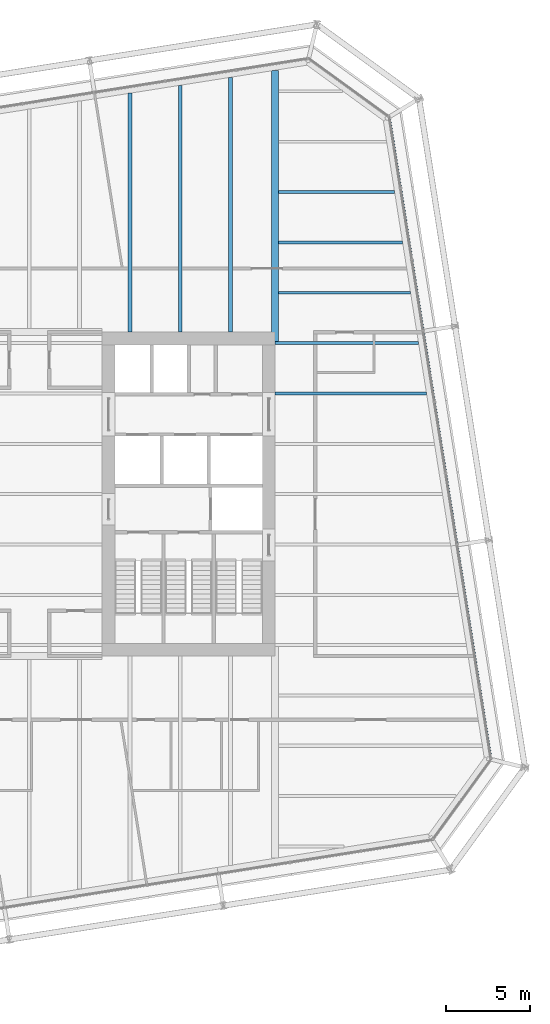
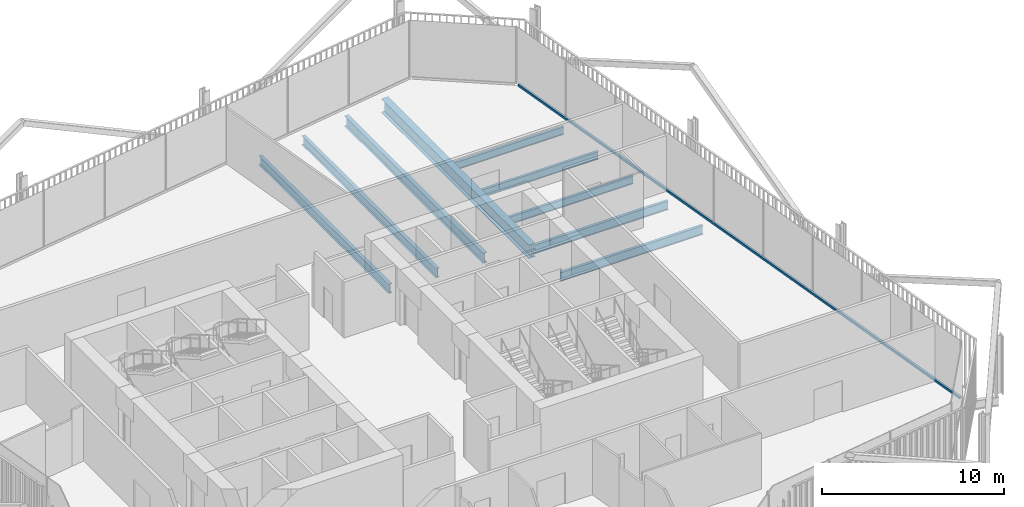
# One storey, part 14 of 22: 9 beams, 1 member, 1 element without a shape of its own.
"""IFC4 building model written with IfcOpenShell, lengths in metres."""

from ifc_helpers import new_model, si_unit, direction, frame, origin, origin_2d, place, context, subcontext, project, spatial, rectangle, i_section, extrude, material, layer, layer_set, material_profile, profile_set, type_object, element, aggregate, save


model = new_model("IFC4")

# Units and contexts
model_context = context("Model", 3, precision=1e-05, world=origin(), true_north=direction((0.0, 1.0)))
body_context = subcontext(model_context, "Body", "Model", "MODEL_VIEW")
ifc_project = project(units=[si_unit("LENGTHUNIT", "METRE"), si_unit("AREAUNIT", "SQUARE_METRE"), si_unit("VOLUMEUNIT", "CUBIC_METRE"), si_unit("PLANEANGLEUNIT", "RADIAN"), si_unit("MASSUNIT", "GRAM", prefix="KILO")], contexts=[model_context])

# Site, building, storey
site_placement = place(None, origin())
site = spatial("IfcSite", under=ifc_project, at=site_placement, CompositionType="ELEMENT")
building_placement = place(site_placement, origin())
building = spatial("IfcBuilding", under=site, at=building_placement, Name="Millrace Tower", CompositionType="ELEMENT")
storey_placement = place(building_placement, frame((0.0, 0.0, 145.10009765625)))
storey = spatial("IfcBuildingStorey", under=building, at=storey_placement, Name="L32", CompositionType="ELEMENT", Elevation=145.10009765625)

# Curtain wall, member
ifc_material_1 = material(Name="Aluminium and glass", Category="aluminium")
ifc_layer = layer(ifc_material_1, 0.14990234375)
ifc_layer_set = layer_set([ifc_layer], Name="Aluminium and glass")
curtain_wall_type = type_object("IfcCurtainWallType", Name="CW-1 office vision curtain wall", PredefinedType="NOTDEFINED", material=ifc_layer_set)
curtain_wall_placement = place(storey_placement, origin())
curtain_wall = element("IfcCurtainWall", 1, at=curtain_wall_placement, inside=storey, type_object=curtain_wall_type, Name="Curtain wall C-F04 L32", PredefinedType="NOTDEFINED")
ifc_material_2 = material(Name="Aluminium", Category="aluminium")
ifc_material_profile_1 = material_profile(ifc_material_2, rectangle(XDim=0.14990234375, YDim=0.139892578125, at=origin_2d()))
ifc_profile_set_1 = profile_set([ifc_material_profile_1], Name="Aluminium")
member_type = type_object("IfcMemberType", Name="CW-1 office vision curtain wall transom", PredefinedType="USERDEFINED", material=ifc_profile_set_1)
member_placement = place(storey_placement, frame((27.49609375, -15.675048828125, 0.06982421875), z_axis=(-0.156434402447, 0.987688350509, 0.0), x_axis=(-0.987688350509, -0.156434402447, 0.0)))
member = element("IfcMember", 2, at=member_placement, type_object=member_type, Name="CW1 transom C-F04.1", ObjectType="TRANSOM", PredefinedType="USERDEFINED", context=body_context, shape_type="SweptSolid", body=[
    extrude(rectangle(XDim=0.14990234375, YDim=0.139892578125, at=origin_2d()), origin(), (0.0, 0.0, 1.0), 38.499755859375),
])
aggregate(curtain_wall, [member])

# Beams
ifc_material_3 = material(Name="Steel ASTM A992 Grade 50", Category="steel")
ifc_material_profile_2 = material_profile(ifc_material_3, i_section(OverallWidth=0.1650390625, OverallDepth=0.52587890625, WebThickness=0.0087890625, FlangeThickness=0.011474609375, FilletRadius=0.0126953125, at=origin_2d()))
ifc_profile_set_2 = profile_set([ifc_material_profile_2], Name="Steel ASTM A992 Grade 50")
beam_type_1 = type_object("IfcBeamType", Name="Floor beam W21x44", PredefinedType="JOIST", material=ifc_profile_set_2)
beam_1_placement = place(storey_placement, frame((14.859619140625, 12.0, -0.423095703125), z_axis=(1.0, 0.0, 0.0), x_axis=(0.0, 1.0, 0.0)))
element("IfcBeam", 3, at=beam_1_placement, inside=storey, type_object=beam_type_1, Name="BM-C-L32-S1-S032", PredefinedType="JOIST", context=body_context, shape_type="SweptSolid", body=[
    extrude(i_section(OverallWidth=0.1650390625, OverallDepth=0.52587890625, WebThickness=0.0087890625, FlangeThickness=0.011474609375, FilletRadius=0.0126953125, at=origin_2d()), origin(), (0.0, 0.0, 1.0), 7.8662109375),
])
beam_2_placement = place(storey_placement, frame((14.859619140625, 15.0, -0.423095703125), z_axis=(1.0, 0.0, 0.0), x_axis=(0.0, 1.0, 0.0)))
element("IfcBeam", 4, at=beam_2_placement, inside=storey, type_object=beam_type_1, Name="BM-C-L32-S1-S034", PredefinedType="JOIST", context=body_context, shape_type="SweptSolid", body=[
    extrude(i_section(OverallWidth=0.1650390625, OverallDepth=0.52587890625, WebThickness=0.0087890625, FlangeThickness=0.011474609375, FilletRadius=0.0126953125, at=origin_2d()), origin(), (0.0, 0.0, 1.0), 7.390869140625),
])
beam_3_placement = place(storey_placement, frame((14.859619140625, 18.0, -0.423095703125), z_axis=(1.0, 0.0, 0.0), x_axis=(0.0, 1.0, 0.0)))
element("IfcBeam", 5, at=beam_3_placement, inside=storey, type_object=beam_type_1, Name="BM-C-L32-S1-S036", PredefinedType="JOIST", context=body_context, shape_type="SweptSolid", body=[
    extrude(i_section(OverallWidth=0.1650390625, OverallDepth=0.52587890625, WebThickness=0.0087890625, FlangeThickness=0.011474609375, FilletRadius=0.0126953125, at=origin_2d()), origin(), (0.0, 0.0, 1.0), 6.915771484375),
])
ifc_material_4 = material(Name="Steel ASTM A992 Grade 50", Category="steel")
ifc_material_profile_3 = material_profile(ifc_material_4, i_section(OverallWidth=0.177978515625, OverallDepth=0.599365234375, WebThickness=0.010009765625, FlangeThickness=0.012939453125, FilletRadius=0.012939453125, at=origin_2d()))
ifc_profile_set_3 = profile_set([ifc_material_profile_3], Name="Steel ASTM A992 Grade 50")
beam_type_2 = type_object("IfcBeamType", Name="Floor beam W24x55", PredefinedType="JOIST", material=ifc_profile_set_3)
beam_4_placement = place(storey_placement, frame((14.64990234375, 6.0, -0.459716796875), z_axis=(1.0, 0.0, 0.0), x_axis=(0.0, 1.0, 0.0)))
element("IfcBeam", 6, at=beam_4_placement, inside=storey, type_object=beam_type_2, Name="BM-C-L32-S1-S027", PredefinedType="JOIST", context=body_context, shape_type="SweptSolid", body=[
    extrude(i_section(OverallWidth=0.177978515625, OverallDepth=0.599365234375, WebThickness=0.010009765625, FlangeThickness=0.012939453125, FilletRadius=0.012939453125, at=origin_2d()), origin(), (0.0, 0.0, 1.0), 9.026123046875),
])
beam_5_placement = place(storey_placement, frame((14.64990234375, 9.0, -0.459716796875), z_axis=(1.0, 0.0, 0.0), x_axis=(0.0, 1.0, 0.0)))
element("IfcBeam", 7, at=beam_5_placement, inside=storey, type_object=beam_type_2, Name="BM-C-L32-S1-S030", PredefinedType="JOIST", context=body_context, shape_type="SweptSolid", body=[
    extrude(i_section(OverallWidth=0.177978515625, OverallDepth=0.599365234375, WebThickness=0.010009765625, FlangeThickness=0.012939453125, FilletRadius=0.012939453125, at=origin_2d()), origin(), (0.0, 0.0, 1.0), 8.551025390625),
])
ifc_material_5 = material(Name="Steel ASTM A992 Grade 50", Category="steel")
ifc_material_profile_4 = material_profile(ifc_material_5, i_section(OverallWidth=0.228271484375, OverallDepth=0.607177734375, WebThickness=0.01123046875, FlangeThickness=0.017333984375, FilletRadius=0.0126953125, at=origin_2d()))
ifc_profile_set_4 = profile_set([ifc_material_profile_4], Name="Steel ASTM A992 Grade 50")
beam_type_3 = type_object("IfcBeamType", Name="Floor beam W24x76", PredefinedType="JOIST", material=ifc_profile_set_4)
beam_6_placement = place(storey_placement, frame((6.0, 9.64990234375, -0.463623046875), z_axis=(0.0, 1.0, 0.0), x_axis=(-1.0, 0.0, 0.0)))
element("IfcBeam", 8, at=beam_6_placement, inside=storey, type_object=beam_type_3, Name="BM-C-L32-S1-S051", PredefinedType="JOIST", context=body_context, shape_type="SweptSolid", body=[
    extrude(i_section(OverallWidth=0.228271484375, OverallDepth=0.607177734375, WebThickness=0.01123046875, FlangeThickness=0.017333984375, FilletRadius=0.0126953125, at=origin_2d()), origin(), (0.0, 0.0, 1.0), 14.2421875),
])
beam_7_placement = place(storey_placement, frame((9.0, 9.64990234375, -0.463623046875), z_axis=(0.0, 1.0, 0.0), x_axis=(-1.0, 0.0, 0.0)))
element("IfcBeam", 9, at=beam_7_placement, inside=storey, type_object=beam_type_3, Name="BM-C-L32-S1-S053", PredefinedType="JOIST", context=body_context, shape_type="SweptSolid", body=[
    extrude(i_section(OverallWidth=0.228271484375, OverallDepth=0.607177734375, WebThickness=0.01123046875, FlangeThickness=0.017333984375, FilletRadius=0.0126953125, at=origin_2d()), origin(), (0.0, 0.0, 1.0), 14.71728515625),
])
ifc_material_6 = material(Name="Steel ASTM A992 Grade 50", Category="steel")
ifc_material_profile_5 = material_profile(ifc_material_6, i_section(OverallWidth=0.256591796875, OverallDepth=0.693359375, WebThickness=0.014404296875, FlangeThickness=0.023681640625, FilletRadius=0.01513671875, at=origin_2d()))
ifc_profile_set_5 = profile_set([ifc_material_profile_5], Name="Steel ASTM A992 Grade 50")
beam_type_4 = type_object("IfcBeamType", Name="Floor beam W27x114", PredefinedType="JOIST", material=ifc_profile_set_5)
beam_8_placement = place(storey_placement, frame((12.0, 9.64990234375, -0.5068359375), z_axis=(0.0, 1.0, 0.0), x_axis=(-1.0, 0.0, 0.0)))
element("IfcBeam", 10, at=beam_8_placement, inside=storey, type_object=beam_type_4, Name="BM-C-L32-S1-S055", PredefinedType="JOIST", context=body_context, shape_type="SweptSolid", body=[
    extrude(i_section(OverallWidth=0.256591796875, OverallDepth=0.693359375, WebThickness=0.014404296875, FlangeThickness=0.023681640625, FilletRadius=0.01513671875, at=origin_2d()), origin(), (0.0, 0.0, 1.0), 15.1923828125),
])
ifc_material_7 = material(Name="Steel ASTM A992 Grade 50", Category="steel")
ifc_material_profile_6 = material_profile(ifc_material_7, i_section(OverallWidth=0.419189453125, OverallDepth=0.927001953125, WebThickness=0.019287109375, FlangeThickness=0.031982421875, FilletRadius=0.024169921875, at=origin_2d()))
ifc_profile_set_6 = profile_set([ifc_material_profile_6], Name="Steel ASTM A992 Grade 50")
beam_type_5 = type_object("IfcBeamType", Name="Girder medium span W36x231", PredefinedType="BEAM", material=ifc_profile_set_6)
beam_9_placement = place(storey_placement, frame((14.64990234375, 9.090087890625, -0.62353515625), z_axis=(0.0, 1.0, 0.0), x_axis=(-1.0, 0.0, 0.0)))
element("IfcBeam", 11, at=beam_9_placement, inside=storey, type_object=beam_type_5, Name="BM-C-L32-S1-G059", PredefinedType="BEAM", context=body_context, shape_type="SweptSolid", body=[
    extrude(i_section(OverallWidth=0.419189453125, OverallDepth=0.927001953125, WebThickness=0.019287109375, FlangeThickness=0.031982421875, FilletRadius=0.024169921875, at=origin_2d()), origin(), (0.0, 0.0, 1.0), 16.1640625),
])

save(model, "model.ifc")
